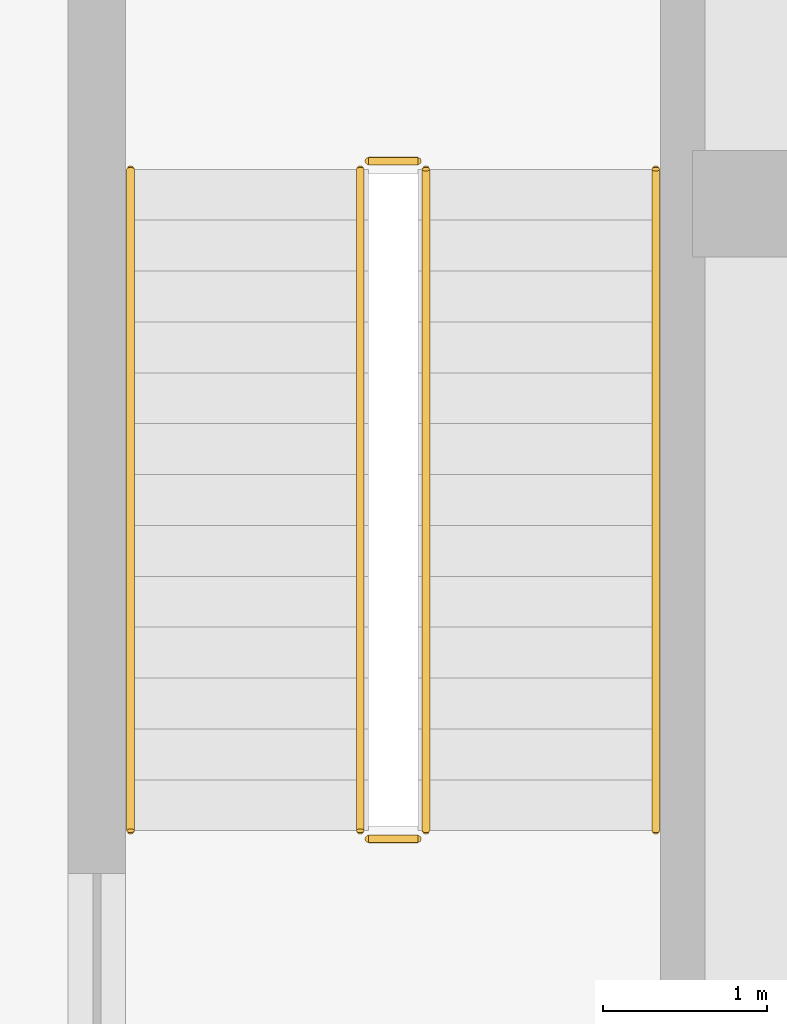
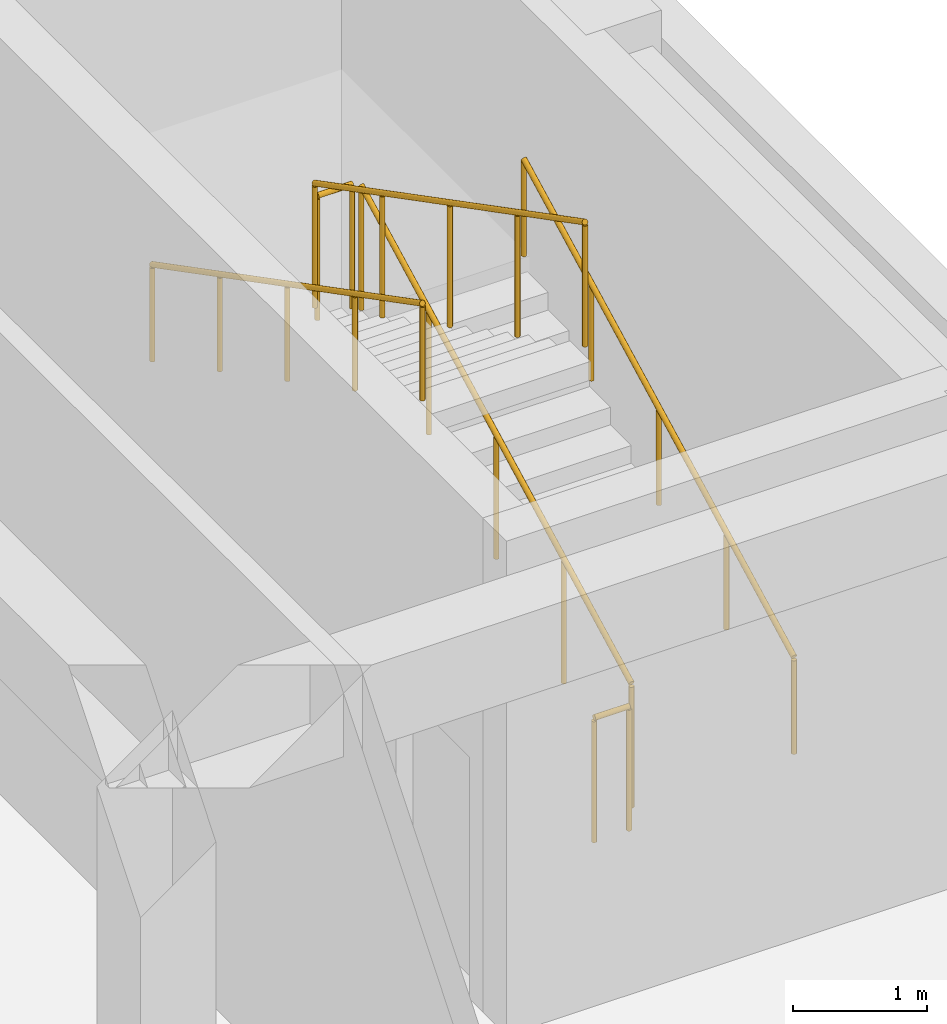
# One storey, part 26 of 26: 6 railings.
"""IFC4 building model written with IfcOpenShell, lengths in metres."""

from ifc_helpers import new_model, si_unit, direction, frame, origin, origin_2d, place, context, subcontext, project, spatial, circle, extrude, material, type_object, element, save


model = new_model("IFC4")

# Units and contexts
model_context = context("Model", 3, precision=1e-05, world=origin(), true_north=direction((0.0, 1.0)))
body_context = subcontext(model_context, "Body", "Model", "MODEL_VIEW")
ifc_project = project(units=[si_unit("LENGTHUNIT", "METRE"), si_unit("AREAUNIT", "SQUARE_METRE"), si_unit("VOLUMEUNIT", "CUBIC_METRE"), si_unit("PLANEANGLEUNIT", "RADIAN"), si_unit("MASSUNIT", "GRAM", prefix="KILO")], contexts=[model_context])

# Site, building, storey
site_placement = place(None, origin())
site = spatial("IfcSite", under=ifc_project, at=site_placement, CompositionType="ELEMENT")
building_placement = place(site_placement, origin())
building = spatial("IfcBuilding", under=site, at=building_placement, Name="Khoralis Quay Care Tower", CompositionType="ELEMENT")
storey_placement = place(building_placement, frame((0.0, 0.0, 4.5)))
storey = spatial("IfcBuildingStorey", under=building, at=storey_placement, Name="L01", CompositionType="ELEMENT", Elevation=4.5)

# Railings
ifc_material = material(Name="Brushed stainless steel", Category="steel")
railing_type_1 = type_object("IfcRailingType", Name="RL-GUARD-1150", PredefinedType="GUARDRAIL", material=ifc_material)
railing_1_placement = place(storey_placement, frame((105.35009765625, 32.179931640625, 0.16064453125)))
element("IfcRailing", 1, at=railing_1_placement, inside=storey, type_object=railing_type_1, Name="L01 ST-S2 stair guard 1", PredefinedType="GUARDRAIL", context=body_context, shape_type="SweptSolid", body=[
    extrude(circle(Radius=0.02392578125, at=origin_2d()), frame((0.0, 0.0, 1.1259765625), z_axis=(0.0, 0.887780577991, 0.46026692836), x_axis=(-1.0, 0.0, 0.0)), (0.0, 0.0, 1.0), 4.53955078125),
    extrude(circle(Radius=0.02099609375, at=origin_2d()), origin(), (0.0, 0.0, 1.0), 1.101806640625),
    extrude(circle(Radius=0.02099609375, at=origin_2d()), frame((0.0, 1.007568359375, 0.5224609375)), (0.0, 0.0, 1.0), 1.101806640625),
    extrude(circle(Radius=0.02099609375, at=origin_2d()), frame((0.0, 2.01513671875, 1.044677734375)), (0.0, 0.0, 1.0), 1.101806640625),
    extrude(circle(Radius=0.02099609375, at=origin_2d()), frame((0.0, 3.0224609375, 1.56689453125)), (0.0, 0.0, 1.0), 1.101806640625),
    extrude(circle(Radius=0.02099609375, at=origin_2d()), frame((0.0, 4.030029296875, 2.08935546875)), (0.0, 0.0, 1.0), 1.101806640625),
])
railing_2_placement = place(storey_placement, frame((105.300048828125, 36.260009765625, 2.25)))
element("IfcRailing", 2, at=railing_2_placement, inside=storey, type_object=railing_type_1, Name="L01 ST-S2 stair guard 2", PredefinedType="GUARDRAIL", context=body_context, shape_type="SweptSolid", body=[
    extrude(circle(Radius=0.02392578125, at=origin_2d()), frame((0.0, 0.0, 1.1259765625), z_axis=(-1.0, 0.0, 0.0), x_axis=(0.0, -1.0, 0.0)), (0.0, 0.0, 1.0), 0.300048828125),
    extrude(circle(Radius=0.02099609375, at=origin_2d()), origin(), (0.0, 0.0, 1.0), 1.101806640625),
    extrude(circle(Radius=0.02099609375, at=origin_2d()), frame((-0.300048828125, 0.0, 0.0)), (0.0, 0.0, 1.0), 1.101806640625),
])
railing_3_placement = place(storey_placement, frame((104.949951171875, 36.2099609375, 2.41064453125)))
element("IfcRailing", 3, at=railing_3_placement, inside=storey, type_object=railing_type_1, Name="L01 ST-S2 stair guard 3", PredefinedType="GUARDRAIL", context=body_context, shape_type="SweptSolid", body=[
    extrude(circle(Radius=0.02392578125, at=origin_2d()), frame((0.0, 0.0, 1.1259765625), z_axis=(0.0, -0.887780577991, 0.46026692836), x_axis=(1.0, 0.0, 0.0)), (0.0, 0.0, 1.0), 4.53955078125),
    extrude(circle(Radius=0.02099609375, at=origin_2d()), origin(), (0.0, 0.0, 1.0), 1.101806640625),
    extrude(circle(Radius=0.02099609375, at=origin_2d()), frame((0.0, -1.007568359375, 0.5224609375)), (0.0, 0.0, 1.0), 1.101806640625),
    extrude(circle(Radius=0.02099609375, at=origin_2d()), frame((0.0, -2.01513671875, 1.044677734375)), (0.0, 0.0, 1.0), 1.101806640625),
    extrude(circle(Radius=0.02099609375, at=origin_2d()), frame((0.0, -3.0224609375, 1.56689453125)), (0.0, 0.0, 1.0), 1.101806640625),
    extrude(circle(Radius=0.02099609375, at=origin_2d()), frame((0.0, -4.030029296875, 2.08935546875)), (0.0, 0.0, 1.0), 1.101806640625),
])
railing_4_placement = place(storey_placement, frame((105.300048828125, 32.1298828125, 0.0)))
element("IfcRailing", 4, at=railing_4_placement, inside=storey, type_object=railing_type_1, Name="L01 ST-S2 stair guard 4", PredefinedType="GUARDRAIL", context=body_context, shape_type="SweptSolid", body=[
    extrude(circle(Radius=0.02392578125, at=origin_2d()), frame((0.0, 0.0, 1.1259765625), z_axis=(-1.0, 0.0, 0.0), x_axis=(0.0, -1.0, 0.0)), (0.0, 0.0, 1.0), 0.300048828125),
    extrude(circle(Radius=0.02099609375, at=origin_2d()), origin(), (0.0, 0.0, 1.0), 1.101806640625),
    extrude(circle(Radius=0.02099609375, at=origin_2d()), frame((-0.300048828125, 0.0, 0.0)), (0.0, 0.0, 1.0), 1.101806640625),
])
railing_type_2 = type_object("IfcRailingType", Name="RL-HAND-900", PredefinedType="HANDRAIL", material=ifc_material)
railing_5_placement = place(storey_placement, frame((106.75, 32.179931640625, 0.16064453125)))
element("IfcRailing", 5, at=railing_5_placement, inside=storey, type_object=railing_type_2, Name="L01 ST-S2 stair handrail 1", PredefinedType="HANDRAIL", context=body_context, shape_type="SweptSolid", body=[
    extrude(circle(Radius=0.02392578125, at=origin_2d()), frame((0.0, 0.0, 0.8759765625), z_axis=(0.0, 0.887780577991, 0.46026692836), x_axis=(-1.0, 0.0, 0.0)), (0.0, 0.0, 1.0), 4.53955078125),
    extrude(circle(Radius=0.02099609375, at=origin_2d()), origin(), (0.0, 0.0, 1.0), 0.851806640625),
    extrude(circle(Radius=0.02099609375, at=origin_2d()), frame((0.0, 1.007568359375, 0.5224609375)), (0.0, 0.0, 1.0), 0.851806640625),
    extrude(circle(Radius=0.02099609375, at=origin_2d()), frame((0.0, 2.01513671875, 1.044677734375)), (0.0, 0.0, 1.0), 0.851806640625),
    extrude(circle(Radius=0.02099609375, at=origin_2d()), frame((0.0, 3.0224609375, 1.56689453125)), (0.0, 0.0, 1.0), 0.851806640625),
    extrude(circle(Radius=0.02099609375, at=origin_2d()), frame((0.0, 4.030029296875, 2.08935546875)), (0.0, 0.0, 1.0), 0.851806640625),
])
railing_6_placement = place(storey_placement, frame((103.550048828125, 36.2099609375, 2.41064453125)))
element("IfcRailing", 6, at=railing_6_placement, inside=storey, type_object=railing_type_2, Name="L01 ST-S2 stair handrail 2", PredefinedType="HANDRAIL", context=body_context, shape_type="SweptSolid", body=[
    extrude(circle(Radius=0.02392578125, at=origin_2d()), frame((0.0, 0.0, 0.8759765625), z_axis=(0.0, -0.887780577991, 0.46026692836), x_axis=(1.0, 0.0, 0.0)), (0.0, 0.0, 1.0), 4.53955078125),
    extrude(circle(Radius=0.02099609375, at=origin_2d()), origin(), (0.0, 0.0, 1.0), 0.851806640625),
    extrude(circle(Radius=0.02099609375, at=origin_2d()), frame((0.0, -1.007568359375, 0.5224609375)), (0.0, 0.0, 1.0), 0.851806640625),
    extrude(circle(Radius=0.02099609375, at=origin_2d()), frame((0.0, -2.01513671875, 1.044677734375)), (0.0, 0.0, 1.0), 0.851806640625),
    extrude(circle(Radius=0.02099609375, at=origin_2d()), frame((0.0, -3.0224609375, 1.56689453125)), (0.0, 0.0, 1.0), 0.851806640625),
    extrude(circle(Radius=0.02099609375, at=origin_2d()), frame((0.0, -4.030029296875, 2.08935546875)), (0.0, 0.0, 1.0), 0.851806640625),
])

save(model, "model.ifc")
